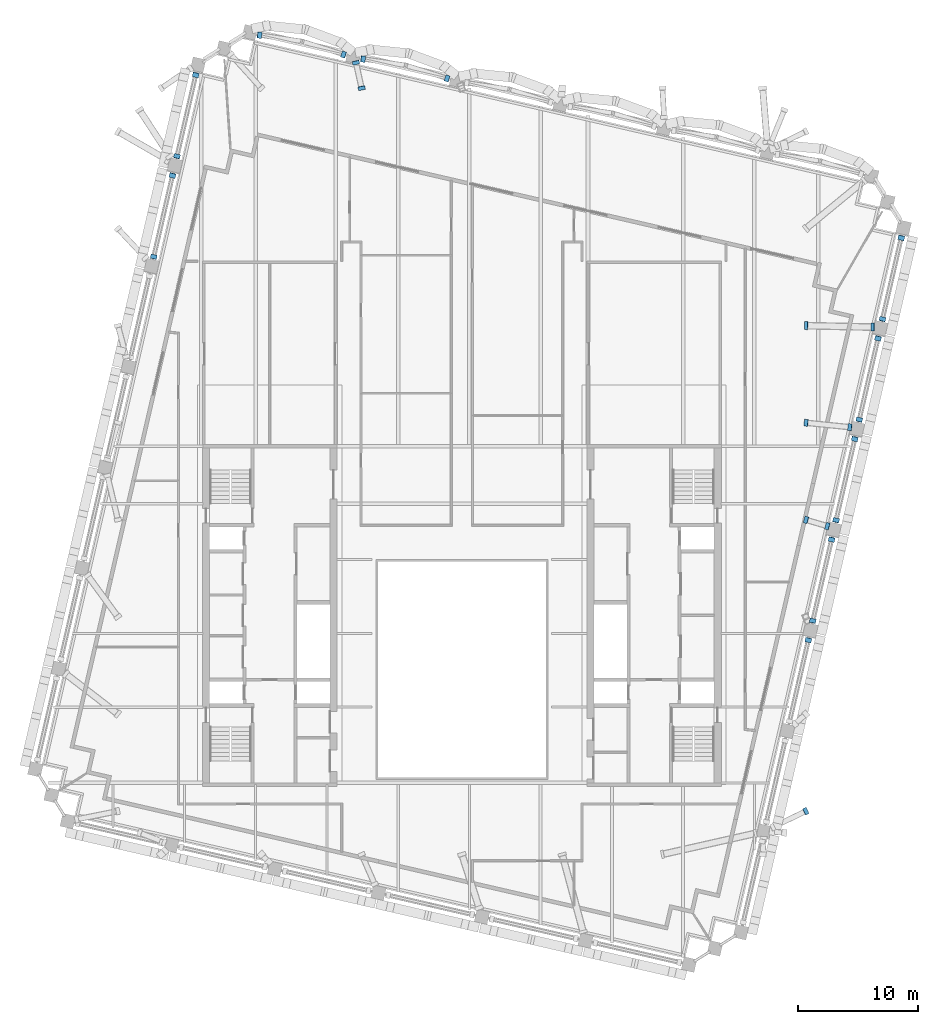
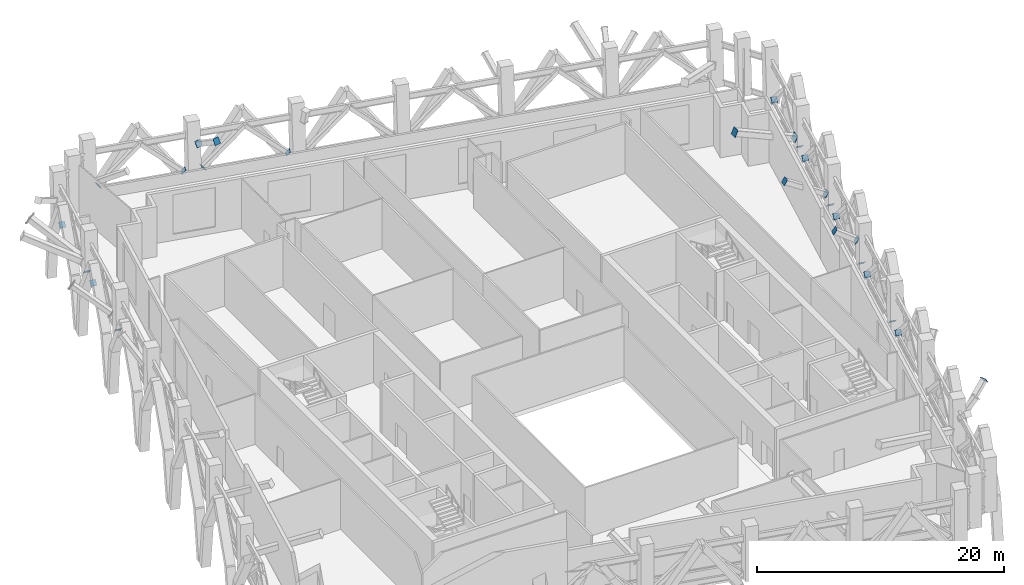
# One storey, part 15 of 19: 26 discrete accessories.
"""IFC4 building model written with IfcOpenShell, lengths in metres."""

from ifc_helpers import new_model, si_unit, direction, frame, origin, origin_2d, place, context, subcontext, project, spatial, rectangle, extrude, material, material_profile, profile_set, type_object, element, save


model = new_model("IFC4")

# Units and contexts
model_context = context("Model", 3, precision=1e-05, world=origin(), true_north=direction((0.0, 1.0)))
body_context = subcontext(model_context, "Body", "Model", "MODEL_VIEW")
ifc_project = project(units=[si_unit("LENGTHUNIT", "METRE"), si_unit("AREAUNIT", "SQUARE_METRE"), si_unit("VOLUMEUNIT", "CUBIC_METRE"), si_unit("PLANEANGLEUNIT", "RADIAN"), si_unit("MASSUNIT", "GRAM", prefix="KILO")], contexts=[model_context])

# Site, building, storey
site_placement = place(None, origin())
site = spatial("IfcSite", under=ifc_project, at=site_placement, CompositionType="ELEMENT")
building_placement = place(site_placement, origin())
building = spatial("IfcBuilding", under=site, at=building_placement, Name="Ogive Exchange Tower", CompositionType="ELEMENT")
storey_placement = place(building_placement, frame((0.0, 0.0, 297.60009765625)))
storey = spatial("IfcBuildingStorey", under=building, at=storey_placement, Name="L65", CompositionType="ELEMENT", Elevation=297.60009765625)

# Discrete accessories
ifc_material = material(Name="Steel ASTM A572 Gr50", Category="steel")
ifc_material_profile_1 = material_profile(ifc_material, rectangle(XDim=0.52587890625, YDim=0.52587890625, at=origin_2d()), Name="PL 526 x 526 x 25")
ifc_profile_set_1 = profile_set([ifc_material_profile_1], Name="Steel ASTM A572 Gr50")
discrete_accessory_type_1 = type_object("IfcDiscreteAccessoryType", Name="Gusset plate 526 x 526 x 25", PredefinedType="USERDEFINED", material=ifc_profile_set_1)
discrete_accessory_1_placement = place(storey_placement, frame((28.853271484375, 9.447998046875, 0.66796875), z_axis=(-0.165792520872, -0.7021800884, 0.692427587172), x_axis=(0.97323960179, -0.229792683756, 0.0)))
element("IfcDiscreteAccessory", 1, at=discrete_accessory_1_placement, inside=storey, type_object=discrete_accessory_type_1, Name="Belt truss diagonal 11b end plate A", ObjectType="GUSSET PLATE", PredefinedType="USERDEFINED", context=body_context, shape_type="SweptSolid", body=[
    extrude(rectangle(XDim=0.52587890625, YDim=0.52587890625, at=origin_2d()), origin(), (0.0, 0.0, 1.0), 0.025146484375),
])
for number, where, z_axis, x_axis, name in (
    (2, (29.220703125, 11.039306640625, 0.66796875), (0.166786942836, 0.72601375117, 0.667147771345), (-0.974612694662, 0.223897510936, 0.0), "Belt truss diagonal 12a end plate A"),
    (3, (30.786865234375, 17.8232421875, 0.66796875), (-0.16693161854, -0.697184995081, 0.697184995081), (0.972511496915, -0.232854865459, 0.0), "Belt truss diagonal 12b end plate A"),
    (4, (31.154296875, 19.41455078125, 0.66796875), (0.166786942836, 0.72601375117, 0.667147771345), (-0.974612694662, 0.223897510936, 0.0), "Belt truss diagonal 13a end plate A"),
    (5, (32.720458984375, 26.19873046875, 0.66796875), (-0.156285476843, -0.693516803489, 0.703284645792), (0.97553613825, -0.219839129747, 0.0), "Belt truss diagonal 13b end plate A"),
    (6, (33.087890625, 27.789794921875, 0.66796875), (0.166674676984, 0.735329457282, 0.656894315172), (-0.975260429307, 0.221059030643, 0.0), "Belt truss diagonal 14a end plate A"),
):
    element("IfcDiscreteAccessory", number, at=place(storey_placement, frame(where, z_axis=z_axis, x_axis=x_axis)), inside=storey, type_object=discrete_accessory_type_1, Name=name, ObjectType="GUSSET PLATE", PredefinedType="USERDEFINED", context=body_context, shape_type="SweptSolid", body=[
        extrude(rectangle(XDim=0.52587890625, YDim=0.52587890625, at=origin_2d()), origin(), (0.0, 0.0, 1.0), 0.02490234375),
    ])
discrete_accessory_2_placement = place(storey_placement, frame((34.654052734375, 34.57421875, 0.66796875), z_axis=(-0.155215495936, -0.688768763218, 0.70817070021), x_axis=(0.97553613825, -0.219839129747, 0.0)))
element("IfcDiscreteAccessory", 7, at=discrete_accessory_2_placement, inside=storey, type_object=discrete_accessory_type_1, Name="Belt truss diagonal 14b end plate A", ObjectType="GUSSET PLATE", PredefinedType="USERDEFINED", context=body_context, shape_type="SweptSolid", body=[
    extrude(rectangle(XDim=0.52587890625, YDim=0.52587890625, at=origin_2d()), origin(), (0.0, 0.0, 1.0), 0.025146484375),
])
for number, where, z_axis, x_axis, name in (
    (8, (35.021484375, 36.165283203125, 0.66796875), (0.166674676984, 0.735329457282, 0.656894315172), (-0.975260429307, 0.221059030643, 0.0), "Belt truss diagonal 15a end plate A"),
    (9, (36.587646484375, 42.949462890625, 0.66796875), (-0.157301819323, -0.67836409583, 0.71768955066), (0.974152703704, -0.225890482018, 0.0), "Belt truss diagonal 15b end plate A"),
    (10, (-1.22265625, 56.21142578125, 0.66796875), (-0.703519616684, 0.224735433108, 0.674206299323), (-0.304295635957, -0.952577642997, 0.0), "Belt truss diagonal 22a end plate A"),
):
    element("IfcDiscreteAccessory", number, at=place(storey_placement, frame(where, z_axis=z_axis, x_axis=x_axis)), inside=storey, type_object=discrete_accessory_type_1, Name=name, ObjectType="GUSSET PLATE", PredefinedType="USERDEFINED", context=body_context, shape_type="SweptSolid", body=[
        extrude(rectangle(XDim=0.52587890625, YDim=0.52587890625, at=origin_2d()), origin(), (0.0, 0.0, 1.0), 0.02490234375),
    ])
for number, where, z_axis, x_axis, name in (
    (11, (-8.239013671875, 57.831298828125, 0.66796875), (0.731681201613, -0.107313242903, 0.673146705484), (0.145114187428, 0.989414914284, 0.0), "Belt truss diagonal 22b end plate A"),
    (12, (-9.845703125, 58.2021484375, 0.66796875), (-0.706841549826, 0.232386262957, 0.668110506), (-0.312321074942, -0.949976602947, 0.0), "Belt truss diagonal 23a end plate A"),
    (13, (-16.8623046875, 59.822021484375, 0.66796875), (0.731681201613, -0.107313242903, 0.673146705484), (0.145114187428, 0.989414914284, 0.0), "Belt truss diagonal 23b end plate A"),
):
    element("IfcDiscreteAccessory", number, at=place(storey_placement, frame(where, z_axis=z_axis, x_axis=x_axis)), inside=storey, type_object=discrete_accessory_type_1, Name=name, ObjectType="GUSSET PLATE", PredefinedType="USERDEFINED", context=body_context, shape_type="SweptSolid", body=[
        extrude(rectangle(XDim=0.52587890625, YDim=0.52587890625, at=origin_2d()), origin(), (0.0, 0.0, 1.0), 0.025146484375),
    ])
for number, where, z_axis, x_axis, name in (
    (14, (-22.166748046875, 56.513916015625, 0.66796875), (-0.166867271764, -0.677284808925, 0.716547696398), (0.970964611728, -0.239223165208, 0.0), "Belt truss diagonal 26a end plate A"),
    (15, (-23.733154296875, 49.72998046875, 0.66796875), (0.176182942423, 0.734095593431, 0.655792063465), (-0.972387301981, 0.233372952475, 0.0), "Belt truss diagonal 26b end plate A"),
):
    element("IfcDiscreteAccessory", number, at=place(storey_placement, frame(where, z_axis=z_axis, x_axis=x_axis)), inside=storey, type_object=discrete_accessory_type_1, Name=name, ObjectType="GUSSET PLATE", PredefinedType="USERDEFINED", context=body_context, shape_type="SweptSolid", body=[
        extrude(rectangle(XDim=0.52587890625, YDim=0.52587890625, at=origin_2d()), origin(), (0.0, 0.0, 1.0), 0.02490234375),
    ])
discrete_accessory_3_placement = place(storey_placement, frame((-24.100341796875, 48.138671875, 0.66796875), z_axis=(-0.16576099239, -0.682545262784, 0.711797202617), x_axis=(0.971753703944, -0.235997328101, 0.0)))
element("IfcDiscreteAccessory", 16, at=discrete_accessory_3_placement, inside=storey, type_object=discrete_accessory_type_1, Name="Belt truss diagonal 27a end plate A", ObjectType="GUSSET PLATE", PredefinedType="USERDEFINED", context=body_context, shape_type="SweptSolid", body=[
    extrude(rectangle(XDim=0.52587890625, YDim=0.52587890625, at=origin_2d()), origin(), (0.0, 0.0, 1.0), 0.025146484375),
])
discrete_accessory_4_placement = place(storey_placement, frame((-25.666748046875, 41.3544921875, 0.66796875), z_axis=(0.166674676984, 0.735329457282, 0.656894315172), x_axis=(-0.975260429307, 0.221059030643, 0.0)))
element("IfcDiscreteAccessory", 17, at=discrete_accessory_4_placement, inside=storey, type_object=discrete_accessory_type_1, Name="Belt truss diagonal 27b end plate A", ObjectType="GUSSET PLATE", PredefinedType="USERDEFINED", context=body_context, shape_type="SweptSolid", body=[
    extrude(rectangle(XDim=0.52587890625, YDim=0.52587890625, at=origin_2d()), origin(), (0.0, 0.0, 1.0), 0.02490234375),
])
ifc_material_profile_2 = material_profile(ifc_material, rectangle(XDim=0.576904296875, YDim=0.576904296875, at=origin_2d()), Name="PL 577 x 577 x 25")
ifc_profile_set_2 = profile_set([ifc_material_profile_2], Name="Steel ASTM A572 Gr50")
discrete_accessory_type_2 = type_object("IfcDiscreteAccessoryType", Name="Gusset plate 577 x 577 x 25", PredefinedType="USERDEFINED", material=ifc_profile_set_2)
for number, where, z_axis, x_axis, name in (
    (18, (28.630859375, -4.80908203125, 4.742431640625), (0.765995406811, 0.363356795539, 0.530304512408), (-0.428584206872, 0.903501841514, 0.0), "Block-change strut 8 end plate B"),
    (19, (30.4462890625, 18.92919921875, 3.5576171875), (-0.80699124334, 0.236192559026, 0.541274614436), (-0.280898753271, -0.959737407008, 0.0), "Block-change strut 11 end plate A"),
):
    element("IfcDiscreteAccessory", number, at=place(storey_placement, frame(where, z_axis=z_axis, x_axis=x_axis)), inside=storey, type_object=discrete_accessory_type_2, Name=name, ObjectType="GUSSET PLATE", PredefinedType="USERDEFINED", context=body_context, shape_type="SweptSolid", body=[
        extrude(rectangle(XDim=0.576904296875, YDim=0.576904296875, at=origin_2d()), origin(), (0.0, 0.0, 1.0), 0.02490234375),
    ])
for number, where, z_axis, x_axis, name in (
    (20, (28.670166015625, 19.451171875, 4.743896484375), (-0.806129241689, 0.233097612055, 0.543894428128), (-0.277777033563, -0.960645574406, 0.0), "Block-change strut 11 end plate B"),
    (21, (32.319091796875, 27.17041015625, 2.46923828125), (-0.846377187856, 0.087556260813, 0.525337564876), (-0.102899151086, -0.994691793827, 0.0), "Block-change strut 12 end plate A"),
    (22, (28.671142578125, 27.540771484375, 4.742431640625), (-0.846377187856, 0.087556260813, 0.525337564876), (-0.102899151086, -0.994691793827, 0.0), "Block-change strut 12 end plate B"),
    (23, (-8.8271484375, 57.54248046875, 3.39501953125), (0.184840995049, -0.836648714432, 0.515609091452), (0.976453475447, 0.215728093413, 0.0), "Block-change strut 20 end plate A"),
):
    element("IfcDiscreteAccessory", number, at=place(storey_placement, frame(where, z_axis=z_axis, x_axis=x_axis)), inside=storey, type_object=discrete_accessory_type_2, Name=name, ObjectType="GUSSET PLATE", PredefinedType="USERDEFINED", context=body_context, shape_type="SweptSolid", body=[
        extrude(rectangle(XDim=0.576904296875, YDim=0.576904296875, at=origin_2d()), origin(), (0.0, 0.0, 1.0), 0.025146484375),
    ])
discrete_accessory_5_placement = place(storey_placement, frame((-8.3544921875, 55.420654296875, 4.742431640625), z_axis=(0.175955517117, -0.830901053051, 0.52786655135), x_axis=(0.978304864549, 0.207170441905, 0.0)))
element("IfcDiscreteAccessory", 24, at=discrete_accessory_5_placement, inside=storey, type_object=discrete_accessory_type_2, Name="Block-change strut 20 end plate B", ObjectType="GUSSET PLATE", PredefinedType="USERDEFINED", context=body_context, shape_type="SweptSolid", body=[
    extrude(rectangle(XDim=0.576904296875, YDim=0.576904296875, at=origin_2d()), origin(), (0.0, 0.0, 1.0), 0.02490234375),
])
ifc_material_profile_3 = material_profile(ifc_material, rectangle(XDim=0.678955078125, YDim=0.678955078125, at=origin_2d()), Name="PL 679 x 679 x 25")
ifc_profile_set_3 = profile_set([ifc_material_profile_3], Name="Steel ASTM A572 Gr50")
discrete_accessory_type_3 = type_object("IfcDiscreteAccessoryType", Name="Gusset plate 679 x 679 x 25", PredefinedType="USERDEFINED", material=ifc_profile_set_3)
for number, where, z_axis, x_axis, name in (
    (25, (34.2158203125, 35.50732421875, 2.293212890625), (-0.916430096233, 0.019498512686, 0.399719510059), (-0.021271781491, -0.999773730057, 0.0), "Block-change strut 13 end plate A"),
    (26, (28.673095703125, 35.628173828125, 4.683349609375), (-0.921461939801, 0.019399198733, 0.387983974653), (-0.021047967726, -0.999778466989, 0.0), "Block-change strut 13 end plate B"),
):
    element("IfcDiscreteAccessory", number, at=place(storey_placement, frame(where, z_axis=z_axis, x_axis=x_axis)), inside=storey, type_object=discrete_accessory_type_3, Name=name, ObjectType="GUSSET PLATE", PredefinedType="USERDEFINED", context=body_context, shape_type="SweptSolid", body=[
        extrude(rectangle(XDim=0.678955078125, YDim=0.678955078125, at=origin_2d()), origin(), (0.0, 0.0, 1.0), 0.025146484375),
    ])

save(model, "model.ifc")
